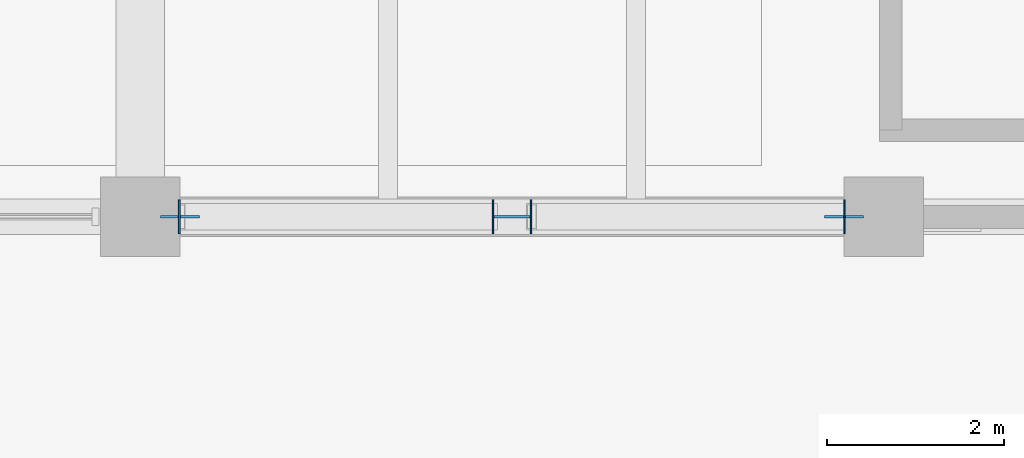
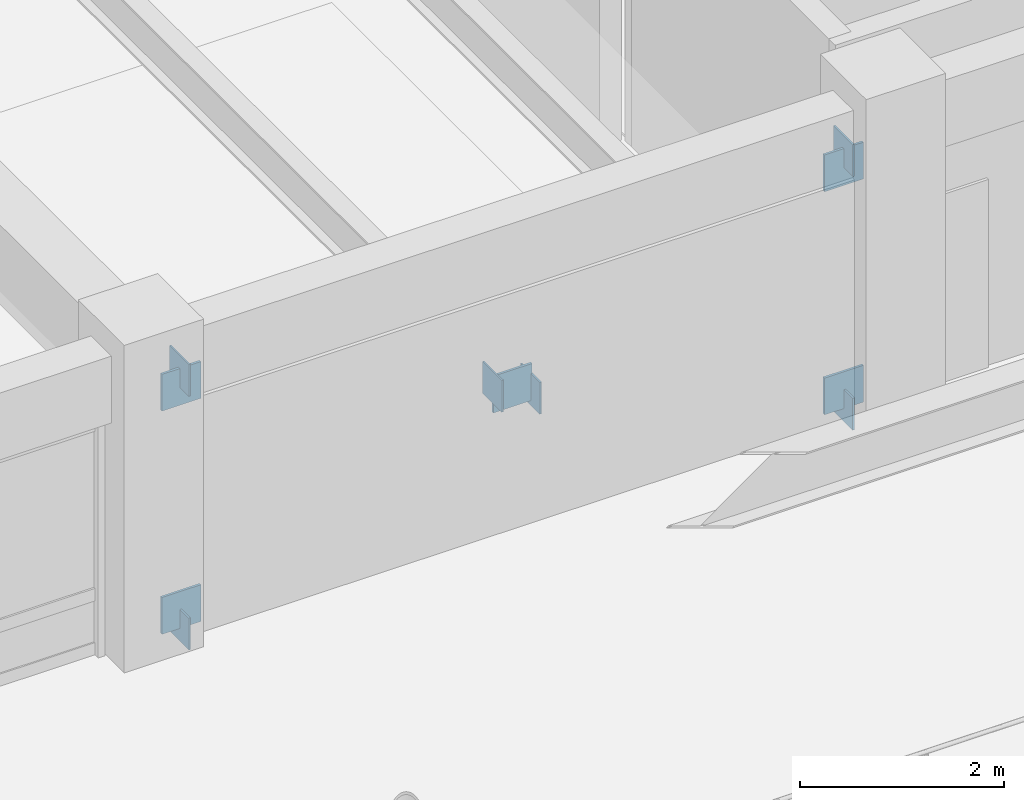
# One storey, part 74 of 135: 11 plates.
"""IFC4 building model written with IfcOpenShell, lengths in metres."""

from ifc_helpers import new_model, si_unit, direction, frame, origin, origin_2d, place, context, subcontext, project, spatial, rectangle, extrude, material, layer, layer_set, type_object, element, save


model = new_model("IFC4")

# Units and contexts
model_context = context("Model", 3, precision=1e-05, world=origin(), true_north=direction((0.0, 1.0)))
body_context = subcontext(model_context, "Body", "Model", "MODEL_VIEW")
ifc_project = project(units=[si_unit("LENGTHUNIT", "METRE"), si_unit("AREAUNIT", "SQUARE_METRE"), si_unit("VOLUMEUNIT", "CUBIC_METRE"), si_unit("PLANEANGLEUNIT", "RADIAN"), si_unit("MASSUNIT", "GRAM", prefix="KILO")], contexts=[model_context])

# Site, building, storey
site_placement = place(None, origin())
site = spatial("IfcSite", under=ifc_project, at=site_placement, CompositionType="ELEMENT")
building_placement = place(site_placement, origin())
building = spatial("IfcBuilding", under=site, at=building_placement, Name="Cumbredor Promenade Congress Hotel", CompositionType="ELEMENT")
storey_placement = place(building_placement, origin())
storey = spatial("IfcBuildingStorey", under=building, at=storey_placement, Name="L00", CompositionType="ELEMENT", Elevation=0.0)

# Plates
ifc_material = material(Name="Steel ASTM A572 Grade 50", Category="steel")
ifc_layer_1 = layer(ifc_material, 0.02001953125, Name="Steel ASTM A572 Grade 50", Category="steel")
ifc_layer_set_1 = layer_set([ifc_layer_1], Name="Steel ASTM A572 Grade 50")
plate_type_1 = type_object("IfcPlateType", Name="Hollow Section End Cap Plate CP-04", PredefinedType="USERDEFINED", material=ifc_layer_set_1)
for number, where, z_axis, x_axis, name in (
    (1, (50.842529296875, 8.39990234375, -0.19287109375), (0.0, 0.0, 1.0), (1.0, 0.0, 0.0), "L00 X-Brace Continuous Diagonal 10A Start Cap Plate"),
    (2, (58.357421875, 8.39990234375, 2.843017578125), (0.0, 0.0, 1.0), (1.0, 0.0, 0.0), "L00 X-Brace Continuous Diagonal 10A End Cap Plate"),
    (3, (58.357421875, 8.39990234375, -0.19287109375), (0.0, 0.0, 1.0), (-1.0, 0.0, 0.0), "L00 X-Brace Lower Split Diagonal 10B1 Start Cap Plate"),
    (4, (54.815185546875, 8.39990234375, 1.238037109375), (0.0, 0.0, 1.0), (-1.0, 0.0, 0.0), "L00 X-Brace Lower Split Diagonal 10B1 End Cap Plate"),
    (5, (54.385009765625, 8.39990234375, 1.411865234375), (0.0, 0.0, 1.0), (-1.0, 0.0, 0.0), "L00 X-Brace Upper Split Diagonal 10B2 Start Cap Plate"),
    (6, (50.842529296875, 8.39990234375, 2.843017578125), (0.0, 0.0, 1.0), (-1.0, 0.0, 0.0), "L00 X-Brace Upper Split Diagonal 10B2 End Cap Plate"),
):
    element("IfcPlate", number, at=place(storey_placement, frame(where, z_axis=z_axis, x_axis=x_axis)), inside=storey, type_object=plate_type_1, Name=name, ObjectType="CAP PLATE", PredefinedType="USERDEFINED", context=body_context, shape_type="SweptSolid", body=[
        extrude(rectangle(XDim=0.02001953125, YDim=0.3798828125, at=origin_2d()), origin(), (0.0, 0.0, 1.0), 0.3798828125),
    ])
ifc_layer_2 = layer(ifc_material, 0.028076171875, Name="Steel ASTM A572 Grade 50", Category="steel")
ifc_layer_set_2 = layer_set([ifc_layer_2], Name="Steel ASTM A572 Grade 50")
plate_type_2 = type_object("IfcPlateType", Name="Space Frame Node Assembly ND-03", PredefinedType="USERDEFINED", material=ifc_layer_set_2)
for number, where, z_axis, x_axis, name in (
    (7, (50.85009765625, 8.39990234375, -0.0400390625), (0.0, 0.0, 1.0), (1.0, 0.0, 0.0), "L00 Seismic Frame Gusset Plate 10-BL"),
    (8, (58.35009765625, 8.39990234375, -0.0400390625), (0.0, 0.0, 1.0), (1.0, 0.0, 0.0), "L00 Seismic Frame Gusset Plate 10-BR"),
    (9, (50.85009765625, 8.39990234375, 2.630126953125), (0.0, 0.0, 1.0), (1.0, 0.0, 0.0), "L00 Seismic Frame Gusset Plate 10-TL"),
    (10, (58.35009765625, 8.39990234375, 2.630126953125), (0.0, 0.0, 1.0), (1.0, 0.0, 0.0), "L00 Seismic Frame Gusset Plate 10-TR"),
    (11, (54.60009765625, 8.39990234375, 1.294921875), (0.0, 0.0, 1.0), (1.0, 0.0, 0.0), "L00 X-Brace Central Crossing Gusset Plate 10"),
):
    element("IfcPlate", number, at=place(storey_placement, frame(where, z_axis=z_axis, x_axis=x_axis)), inside=storey, type_object=plate_type_2, Name=name, ObjectType="GUSSET PLATE", PredefinedType="USERDEFINED", context=body_context, shape_type="SweptSolid", body=[
        extrude(rectangle(XDim=0.43994140625, YDim=0.028076171875, at=origin_2d()), origin(), (0.0, 0.0, 1.0), 0.43994140625),
    ])

save(model, "model.ifc")
